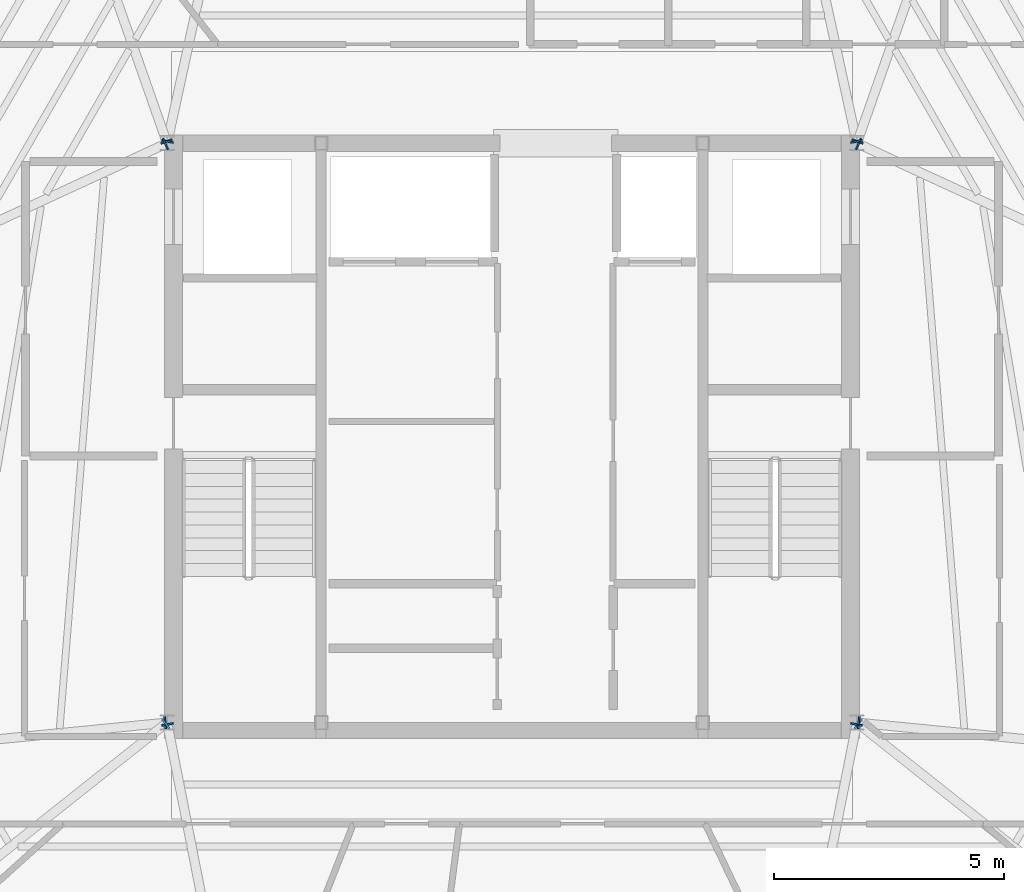
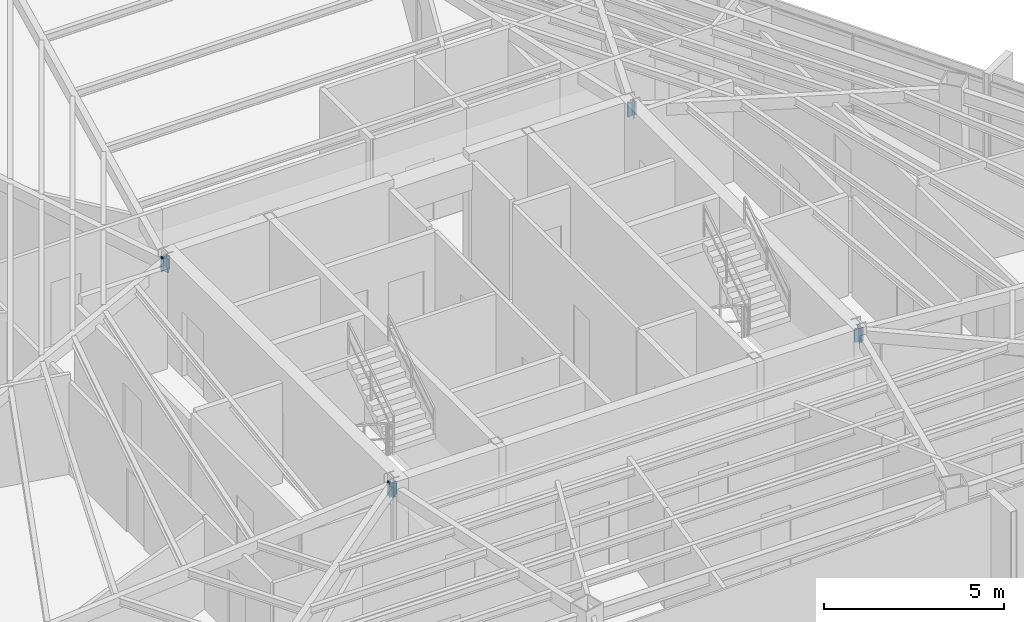
# One storey, part 40 of 46: 12 plates.
"""IFC4 building model written with IfcOpenShell, lengths in metres."""

from ifc_helpers import new_model, si_unit, direction, frame, origin, origin_2d, place, context, subcontext, project, spatial, rectangle, extrude, source, transform, mapped, material, layer, layer_set, type_object, type_shapes, element, save


model = new_model("IFC4")

# Units and contexts
model_context = context("Model", 3, precision=1e-05, world=origin(), true_north=direction((0.0, 1.0)))
body_context = subcontext(model_context, "Body", "Model", "MODEL_VIEW")
ifc_project = project(units=[si_unit("LENGTHUNIT", "METRE"), si_unit("AREAUNIT", "SQUARE_METRE"), si_unit("VOLUMEUNIT", "CUBIC_METRE"), si_unit("PLANEANGLEUNIT", "RADIAN"), si_unit("MASSUNIT", "GRAM", prefix="KILO")], contexts=[model_context])

# Site, building, storey
site_placement = place(None, origin())
site = spatial("IfcSite", under=ifc_project, at=site_placement, CompositionType="ELEMENT")
building_placement = place(site_placement, origin())
building = spatial("IfcBuilding", under=site, at=building_placement, Name="Caelisora Broadcast Tower", CompositionType="ELEMENT")
storey_placement = place(building_placement, frame((0.0, 0.0, 251.75)))
storey = spatial("IfcBuildingStorey", under=building, at=storey_placement, Name="L66", CompositionType="ELEMENT", Elevation=251.75)

# Plates
ifc_material = material(Name="Steel Grade 350 L15 (AS/NZS 3678)", Category="steel")
ifc_layer = layer(ifc_material, 0.0400390625, Name="Steel Grade 350 L15 (AS/NZS 3678)")
ifc_layer_set = layer_set([ifc_layer], Name="Steel Grade 350 L15 (AS/NZS 3678)")
plate_type = type_object("IfcPlateType", Name="GP04", PredefinedType="USERDEFINED", material=ifc_layer_set)
shared_shape = source(origin(), body_context, "Body", "SweptSolid", [
    extrude(rectangle(XDim=0.260009765625, YDim=0.0400390625, at=origin_2d()), origin(), (0.0, 0.0, 1.0), 0.4599609375),
])
type_shapes(plate_type, [shared_shape])
for number, where, z_axis, x_axis, name in (
    (1, (45.491455078125, 30.0390625, 2.969970703125), (0.0, 0.0, 1.0), (-0.977119876542, -0.212689320059, 0.0), "L66 gusset plate GP04 (ND-RAD-L66-01)"),
    (2, (30.508544921875, 30.0390625, 2.969970703125), (0.0, 0.0, 1.0), (-0.977119876542, 0.212689320059, 0.0), "L66 gusset plate GP04 (ND-RAD-L66-02)"),
    (3, (30.48681640625, 30.03759765625, 2.969970703125), (0.0, 0.0, 1.0), (-0.943338546589, -0.331831864835, 0.0), "L66 gusset plate GP04 (ND-RAD-L66-03)"),
    (4, (30.463623046875, 29.9833984375, 2.969970703125), (0.0, 0.0, 1.0), (0.418659737537, -0.908143173825, 0.0), "L66 gusset plate GP04 (ND-RAD-L66-04)"),
    (5, (30.460205078125, 17.39599609375, 2.969970703125), (0.0, 0.0, 1.0), (0.097930293706, -0.995193276492, 0.0), "L66 gusset plate GP04 (ND-RAD-L66-05)"),
    (6, (30.46875, 17.375, 2.969970703125), (0.0, 0.0, 1.0), (0.621284551129, -0.783585034651, 0.0), "L66 gusset plate GP04 (ND-RAD-L66-06)"),
    (7, (30.5078125, 17.36083984375, 2.969970703125), (0.0, 0.0, 1.0), (0.980989040698, 0.19406313929, 0.0), "L66 gusset plate GP04 (ND-RAD-L66-07)"),
    (8, (45.4921875, 17.36083984375, 2.969970703125), (0.0, 0.0, 1.0), (0.980989040698, -0.19406313929, 0.0), "L66 gusset plate GP04 (ND-RAD-L66-08)"),
    (9, (45.53125, 17.375, 2.969970703125), (0.0, 0.0, 1.0), (0.621284551129, 0.783585034651, 0.0), "L66 gusset plate GP04 (ND-RAD-L66-09)"),
    (10, (45.539794921875, 17.39599609375, 2.969970703125), (0.0, 0.0, 1.0), (0.097930293706, 0.995193276492, 0.0), "L66 gusset plate GP04 (ND-RAD-L66-10)"),
    (11, (45.536376953125, 29.9833984375, 2.969970703125), (0.0, 0.0, 1.0), (0.418659737537, 0.908143173825, 0.0), "L66 gusset plate GP04 (ND-RAD-L66-11)"),
    (12, (45.51318359375, 30.03759765625, 2.969970703125), (0.0, 0.0, 1.0), (-0.943338546589, 0.331831864835, 0.0), "L66 gusset plate GP04 (ND-RAD-L66-12)"),
):
    element("IfcPlate", number, at=place(storey_placement, frame(where, z_axis=z_axis, x_axis=x_axis)), inside=storey, type_object=plate_type, Name=name, ObjectType="GUSSET PLATE", PredefinedType="USERDEFINED", context=body_context, shape_type="MappedRepresentation", body=[
        mapped(shared_shape, transform((0.0, 0.0, 0.0), scale=1.0)),
    ])

save(model, "model.ifc")
